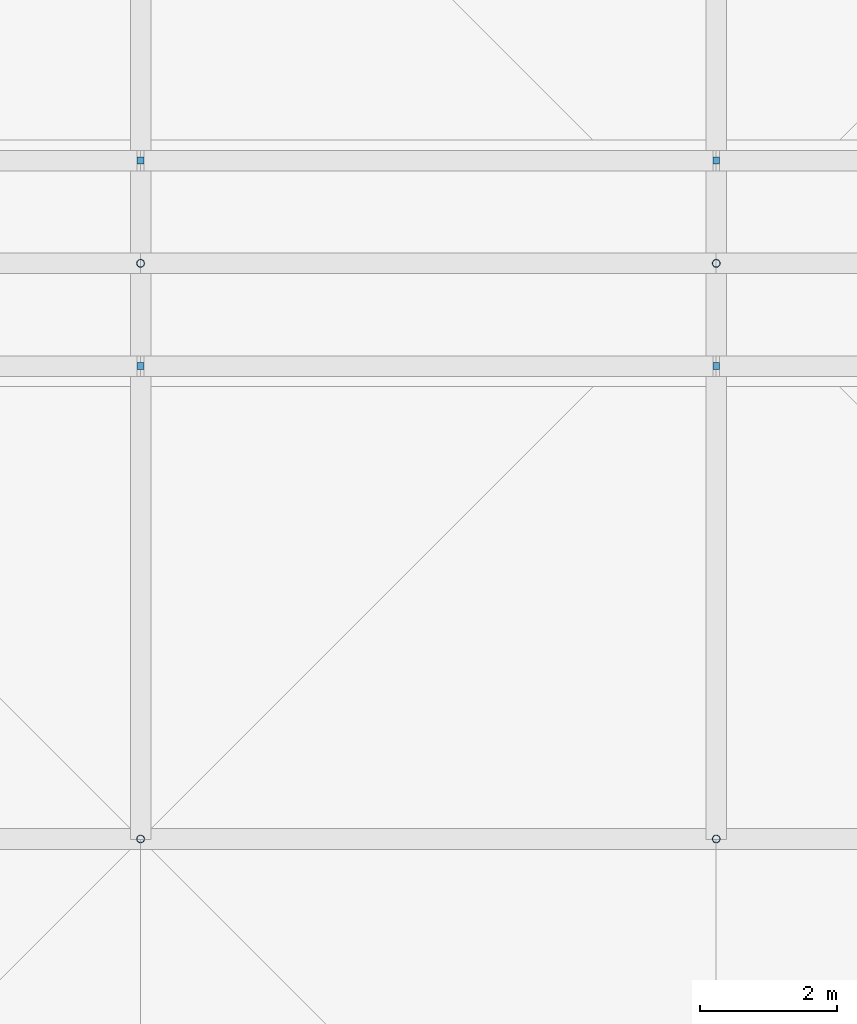
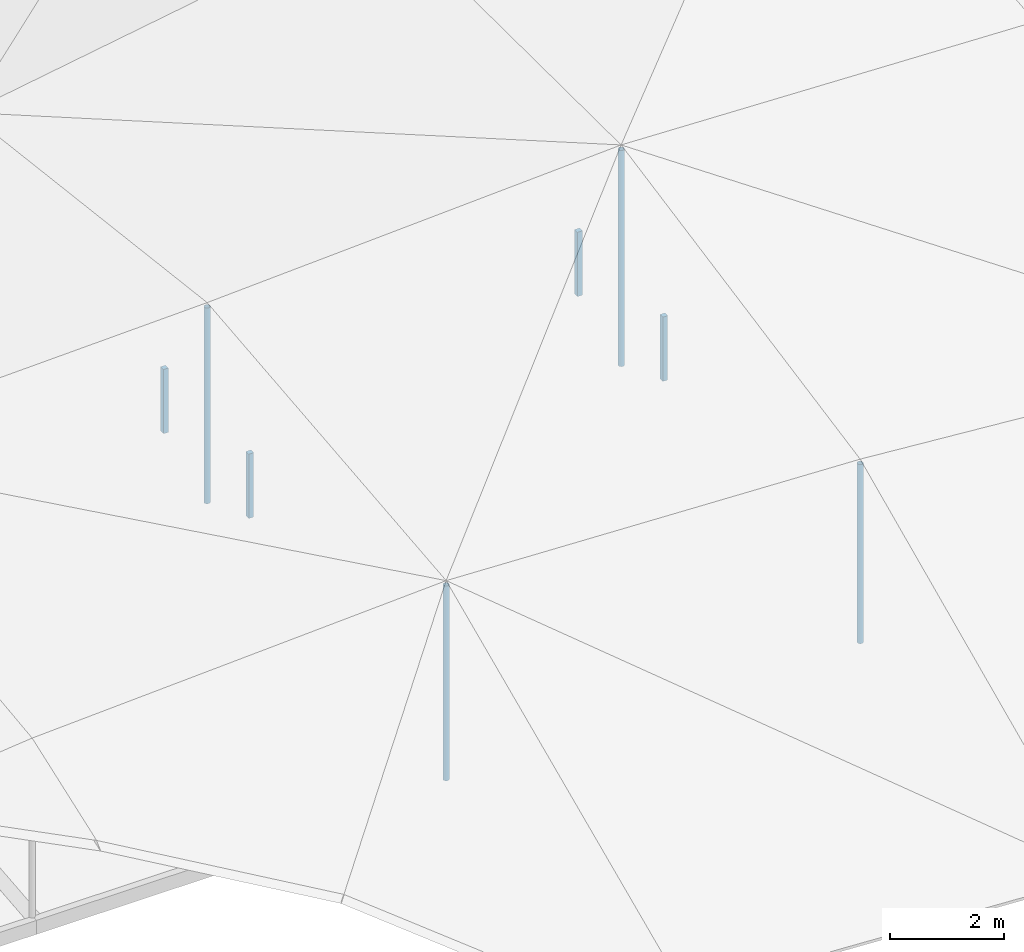
# One storey, part 25 of 46: 8 discrete accessories.
"""IFC4 building model written with IfcOpenShell, lengths in metres."""

from ifc_helpers import new_model, si_unit, direction, frame, origin, origin_2d, place, context, subcontext, project, spatial, rectangle, hollow_circle, extrude, material, layer, layer_set, material_profile, profile_set, type_object, element, save


model = new_model("IFC4")

# Units and contexts
model_context = context("Model", 3, precision=1e-05, world=origin(), true_north=direction((0.0, 1.0)))
body_context = subcontext(model_context, "Body", "Model", "MODEL_VIEW")
ifc_project = project(units=[si_unit("LENGTHUNIT", "METRE"), si_unit("AREAUNIT", "SQUARE_METRE"), si_unit("VOLUMEUNIT", "CUBIC_METRE"), si_unit("PLANEANGLEUNIT", "RADIAN"), si_unit("MASSUNIT", "GRAM", prefix="KILO")], contexts=[model_context])

# Site, building, storey
site_placement = place(None, origin())
site = spatial("IfcSite", under=ifc_project, at=site_placement, CompositionType="ELEMENT")
building_placement = place(site_placement, origin())
building = spatial("IfcBuilding", under=site, at=building_placement, Name="Rain Tree Exposition and Congress Centre", CompositionType="ELEMENT")
storey_placement = place(building_placement, frame((0.0, 0.0, 27.0)))
storey = spatial("IfcBuildingStorey", under=building, at=storey_placement, Name="ROOF VAULT CREST", CompositionType="ELEMENT", Elevation=27.0)

# Discrete accessories
ifc_material_1 = material(Name="Steel S355J2", Category="steel")
ifc_layer = layer(ifc_material_1, 0.10009765625)
ifc_layer_set = layer_set([ifc_layer], Name="Steel S355J2")
discrete_accessory_type_1 = type_object("IfcDiscreteAccessoryType", Name="Ridge lantern post 100", PredefinedType="BRACKET", material=ifc_layer_set)
for number, where, z_axis, x_axis, name in (
    (1, (159.60009765625, 174.89990234375, 2.0), (0.0, 0.0, 1.0), (1.0, 0.0, 0.0), "Lantern post SR1-2"),
    (2, (168.0, 174.89990234375, 2.0), (0.0, 0.0, 1.0), (1.0, 0.0, 0.0), "Lantern post SR1-3"),
    (3, (159.60009765625, 177.89990234375, 2.0), (0.0, 0.0, 1.0), (1.0, 0.0, 0.0), "Lantern post NR1-2"),
    (4, (168.0, 177.89990234375, 2.0), (0.0, 0.0, 1.0), (1.0, 0.0, 0.0), "Lantern post NR1-3"),
):
    element("IfcDiscreteAccessory", number, at=place(storey_placement, frame(where, z_axis=z_axis, x_axis=x_axis)), inside=storey, type_object=discrete_accessory_type_1, Name=name, PredefinedType="BRACKET", context=body_context, shape_type="SweptSolid", body=[
        extrude(rectangle(XDim=0.10009765625, YDim=0.10009765625, at=origin_2d()), origin(), (0.0, 0.0, 1.0), 1.3798828125),
    ])
ifc_material_2 = material(Name="Steel S355J2H", Category="steel")
ifc_material_profile = material_profile(ifc_material_2, hollow_circle(Radius=0.05712890625, WallThickness=0.00439453125, at=origin_2d()), Name="CHS 114x4.5")
ifc_profile_set = profile_set([ifc_material_profile], Name="Steel S355J2H")
discrete_accessory_type_2 = type_object("IfcDiscreteAccessoryType", Name="Roof skin post CHS 114x4.5", PredefinedType="BRACKET", material=ifc_profile_set)
discrete_accessory_1_placement = place(storey_placement, frame((159.60009765625, 168.0, 0.551025390625), z_axis=(0.0, 0.0, 1.0), x_axis=(1.0, 0.0, 0.0)))
element("IfcDiscreteAccessory", 5, at=discrete_accessory_1_placement, inside=storey, type_object=discrete_accessory_type_2, Name="Roof skin post B107", PredefinedType="BRACKET", context=body_context, shape_type="SweptSolid", body=[
    extrude(hollow_circle(Radius=0.05712890625, WallThickness=0.00439453125, at=origin_2d()), origin(), (0.0, 0.0, 1.0), 4.176025390625),
])
discrete_accessory_2_placement = place(storey_placement, frame((168.0, 168.0, 0.551025390625), z_axis=(0.0, 0.0, 1.0), x_axis=(1.0, 0.0, 0.0)))
element("IfcDiscreteAccessory", 6, at=discrete_accessory_2_placement, inside=storey, type_object=discrete_accessory_type_2, Name="Roof skin post B108", PredefinedType="BRACKET", context=body_context, shape_type="SweptSolid", body=[
    extrude(hollow_circle(Radius=0.05712890625, WallThickness=0.00439453125, at=origin_2d()), origin(), (0.0, 0.0, 1.0), 3.841064453125),
])
discrete_accessory_3_placement = place(storey_placement, frame((159.60009765625, 176.39990234375, 1.39990234375), z_axis=(0.0, 0.0, 1.0), x_axis=(1.0, 0.0, 0.0)))
element("IfcDiscreteAccessory", 7, at=discrete_accessory_3_placement, inside=storey, type_object=discrete_accessory_type_2, Name="Roof skin post B120", PredefinedType="BRACKET", context=body_context, shape_type="SweptSolid", body=[
    extrude(hollow_circle(Radius=0.05712890625, WallThickness=0.00439453125, at=origin_2d()), origin(), (0.0, 0.0, 1.0), 4.197265625),
])
discrete_accessory_4_placement = place(storey_placement, frame((168.0, 176.39990234375, 1.39990234375), z_axis=(0.0, 0.0, 1.0), x_axis=(1.0, 0.0, 0.0)))
element("IfcDiscreteAccessory", 8, at=discrete_accessory_4_placement, inside=storey, type_object=discrete_accessory_type_2, Name="Roof skin post B121", PredefinedType="BRACKET", context=body_context, shape_type="SweptSolid", body=[
    extrude(hollow_circle(Radius=0.05712890625, WallThickness=0.00439453125, at=origin_2d()), origin(), (0.0, 0.0, 1.0), 4.63818359375),
])

save(model, "model.ifc")
